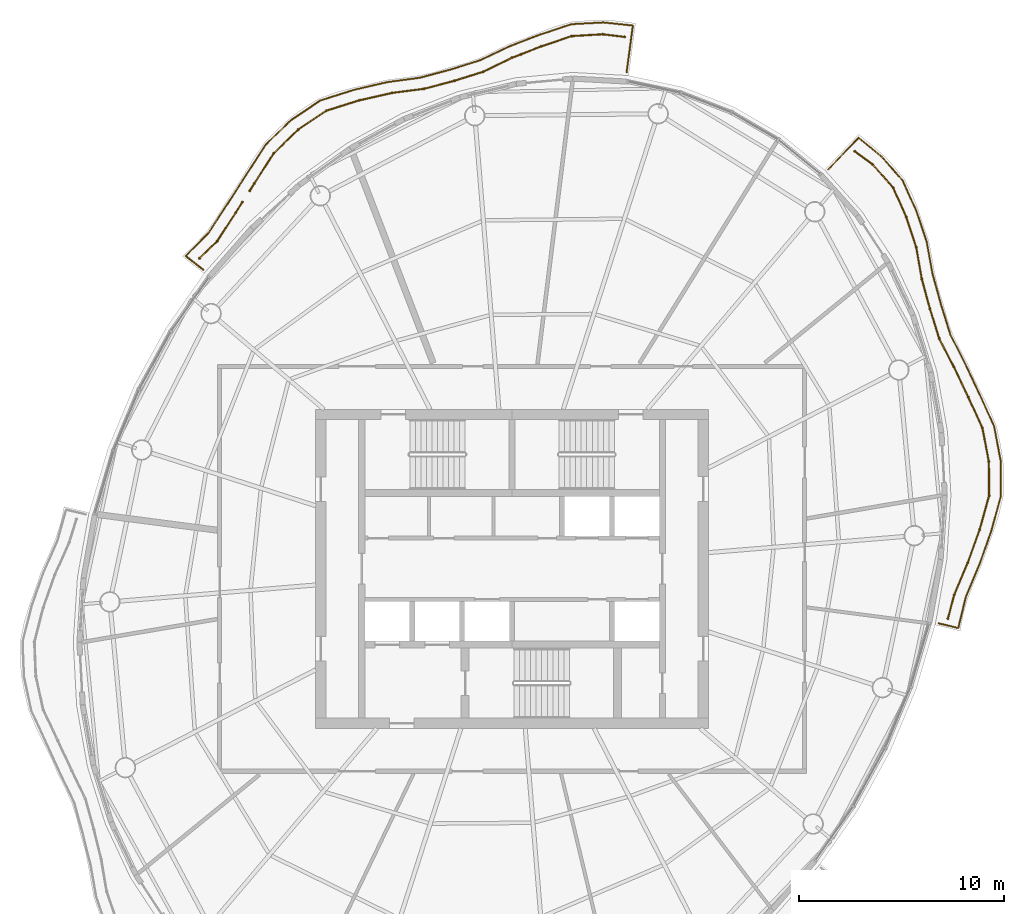
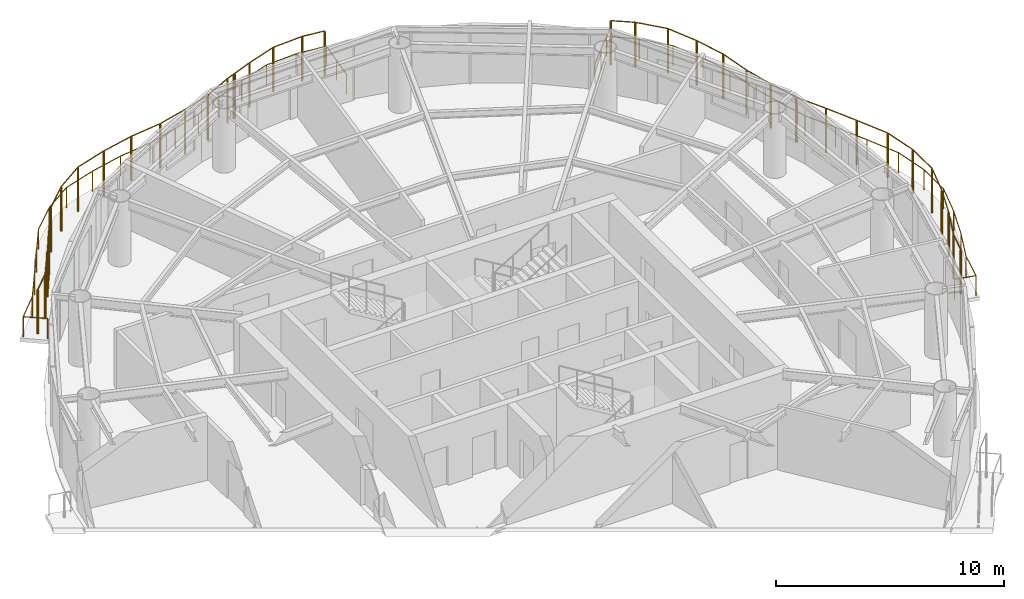
# One storey, part 13 of 13: 6 railings.
"""IFC4 building model written with IfcOpenShell, lengths in metres."""

from ifc_helpers import new_model, si_unit, direction, frame, origin, origin_2d, place, context, subcontext, project, spatial, circle, extrude, material, type_object, element, save


model = new_model("IFC4")

# Units and contexts
model_context = context("Model", 3, precision=1e-05, world=origin(), true_north=direction((0.0, 1.0)))
body_context = subcontext(model_context, "Body", "Model", "MODEL_VIEW")
ifc_project = project(units=[si_unit("LENGTHUNIT", "METRE"), si_unit("AREAUNIT", "SQUARE_METRE"), si_unit("VOLUMEUNIT", "CUBIC_METRE"), si_unit("PLANEANGLEUNIT", "RADIAN"), si_unit("MASSUNIT", "GRAM", prefix="KILO")], contexts=[model_context])

# Site, building, storey
site_placement = place(None, origin())
site = spatial("IfcSite", under=ifc_project, at=site_placement, CompositionType="ELEMENT")
building_placement = place(site_placement, origin())
building = spatial("IfcBuilding", under=site, at=building_placement, Name="Vermilion Reach Broadcast Tower", CompositionType="ELEMENT")
storey_placement = place(building_placement, frame((0.0, 0.0, 290.10009765625)))
storey = spatial("IfcBuildingStorey", under=building, at=storey_placement, Name="L72", CompositionType="ELEMENT", Elevation=290.10009765625)

# Railings
ifc_material_1 = material(Name="Terracotta baguette", Category="masonry")
railing_type_1 = type_object("IfcRailingType", Name="BAGUETTE SCREEN", PredefinedType="USERDEFINED", material=ifc_material_1)
railing_1_placement = place(storey_placement, frame((-0.50146484375, 26.004150390625, 0.0)))
element("IfcRailing", 1, at=railing_1_placement, inside=storey, type_object=railing_type_1, Name="Baguette screen L72 group 1 part 1", ObjectType="BAGUETTE SCREEN", PredefinedType="USERDEFINED", context=body_context, shape_type="SweptSolid", body=[
    extrude(circle(Radius=0.030029296875, at=origin_2d()), frame((0.0, 0.0, 2.369873046875), z_axis=(-0.992881140198, 0.119109367551, 0.0), x_axis=(-0.119109367551, -0.992881140198, 0.0)), (0.0, 0.0, 1.0), 1.073974609375),
    extrude(circle(Radius=0.030029296875, at=origin_2d()), frame((-1.06640625, 0.1279296875, 2.369873046875), z_axis=(-0.998369502245, -0.057081844628, 0.0), x_axis=(0.057081844628, -0.998369502245, 0.0)), (0.0, 0.0, 1.0), 1.518310546875),
    extrude(circle(Radius=0.030029296875, at=origin_2d()), frame((-2.582275390625, 0.041259765625, 2.369873046875), z_axis=(-0.947049164301, -0.321088586527, 0.0), x_axis=(0.321088586527, -0.947049164301, 0.0)), (0.0, 0.0, 1.0), 1.580810546875),
    extrude(circle(Radius=0.030029296875, at=origin_2d()), frame((-4.079345703125, -0.46630859375, 2.369873046875), z_axis=(-0.932146534088, -0.362081260199, 0.0), x_axis=(0.362081260199, -0.932146534088, 0.0)), (0.0, 0.0, 1.0), 1.032958984375),
    extrude(circle(Radius=0.050048828125, at=origin_2d()), origin(), (0.0, 0.0, 1.0), 2.33984375),
    extrude(circle(Radius=0.050048828125, at=origin_2d()), frame((-1.06640625, 0.1279296875, 0.0)), (0.0, 0.0, 1.0), 2.33984375),
    extrude(circle(Radius=0.050048828125, at=origin_2d()), frame((-2.582275390625, 0.041259765625, 0.0)), (0.0, 0.0, 1.0), 2.33984375),
    extrude(circle(Radius=0.050048828125, at=origin_2d()), frame((-4.079345703125, -0.46630859375, 0.0)), (0.0, 0.0, 1.0), 2.33984375),
    extrude(circle(Radius=0.050048828125, at=origin_2d()), frame((-5.042236328125, -0.84033203125, 0.0)), (0.0, 0.0, 1.0), 2.33984375),
])
railing_2_placement = place(storey_placement, frame((-5.59912109375, 25.142333984375, 0.0)))
element("IfcRailing", 2, at=railing_2_placement, inside=storey, type_object=railing_type_1, Name="Baguette screen L72 group 1 part 2", ObjectType="BAGUETTE SCREEN", PredefinedType="USERDEFINED", context=body_context, shape_type="SweptSolid", body=[
    extrude(circle(Radius=0.030029296875, at=origin_2d()), frame((0.0, 0.0, 2.369873046875), z_axis=(-0.932087548866, -0.362233075863, 0.0), x_axis=(0.362233075863, -0.932087548866, 0.0)), (0.0, 0.0, 1.0), 0.442138671875),
    extrude(circle(Radius=0.030029296875, at=origin_2d()), frame((-0.412109375, -0.16015625, 2.369873046875), z_axis=(-0.899295467476, -0.437341585236, 0.0), x_axis=(0.437341585236, -0.899295467476, 0.0)), (0.0, 0.0, 1.0), 1.54736328125),
    extrude(circle(Radius=0.030029296875, at=origin_2d()), frame((-1.8037109375, -0.8369140625, 2.369873046875), z_axis=(-0.953871097993, -0.300216469259, 0.0), x_axis=(0.300216469259, -0.953871097993, 0.0)), (0.0, 0.0, 1.0), 1.481689453125),
    extrude(circle(Radius=0.030029296875, at=origin_2d()), frame((-3.217041015625, -1.28173828125, 2.369873046875), z_axis=(-0.966330483692, -0.257304093025, 0.0), x_axis=(0.257304093025, -0.966330483692, 0.0)), (0.0, 0.0, 1.0), 1.525634765625),
    extrude(circle(Radius=0.030029296875, at=origin_2d()), frame((-4.69140625, -1.67431640625, 2.369873046875), z_axis=(-0.991817255622, -0.127665701934, 0.0), x_axis=(0.127665701934, -0.991817255622, 0.0)), (0.0, 0.0, 1.0), 1.596923828125),
    extrude(circle(Radius=0.030029296875, at=origin_2d()), frame((-6.275146484375, -1.878173828125, 2.369873046875), z_axis=(-0.975153189494, -0.221531616297, 0.0), x_axis=(0.221531616297, -0.975153189494, 0.0)), (0.0, 0.0, 1.0), 1.65087890625),
    extrude(circle(Radius=0.030029296875, at=origin_2d()), frame((-7.885009765625, -2.243896484375, 2.369873046875), z_axis=(-0.954194957585, -0.299185532603, 0.0), x_axis=(0.299185532603, -0.954194957585, 0.0)), (0.0, 0.0, 1.0), 1.663818359375),
    extrude(circle(Radius=0.030029296875, at=origin_2d()), frame((-9.47265625, -2.74169921875, 2.369873046875), z_axis=(-0.830855857765, -0.556487685055, 0.0), x_axis=(0.556487685055, -0.830855857765, 0.0)), (0.0, 0.0, 1.0), 1.66943359375),
    extrude(circle(Radius=0.030029296875, at=origin_2d()), frame((-10.859619140625, -3.670654296875, 2.369873046875), z_axis=(-0.718055314281, -0.695986038389, 0.0), x_axis=(0.695986038389, -0.718055314281, 0.0)), (0.0, 0.0, 1.0), 1.67041015625),
    extrude(circle(Radius=0.030029296875, at=origin_2d()), frame((-12.05908203125, -4.833251953125, 2.369873046875), z_axis=(-0.540070763967, -0.841619611171, 0.0), x_axis=(0.841619611171, -0.540070763967, 0.0)), (0.0, 0.0, 1.0), 1.7431640625),
    extrude(circle(Radius=0.030029296875, at=origin_2d()), frame((-13.00048828125, -6.30029296875, 2.369873046875), z_axis=(-0.537515930629, -0.843253594312, 0.0), x_axis=(0.843253594312, -0.537515930629, 0.0)), (0.0, 0.0, 1.0), 0.419189453125),
    extrude(circle(Radius=0.050048828125, at=origin_2d()), origin(), (0.0, 0.0, 1.0), 2.33984375),
    extrude(circle(Radius=0.050048828125, at=origin_2d()), frame((-0.412109375, -0.16015625, 0.0)), (0.0, 0.0, 1.0), 2.33984375),
    extrude(circle(Radius=0.050048828125, at=origin_2d()), frame((-1.8037109375, -0.8369140625, 0.0)), (0.0, 0.0, 1.0), 2.33984375),
    extrude(circle(Radius=0.050048828125, at=origin_2d()), frame((-3.217041015625, -1.28173828125, 0.0)), (0.0, 0.0, 1.0), 2.33984375),
    extrude(circle(Radius=0.050048828125, at=origin_2d()), frame((-4.69140625, -1.67431640625, 0.0)), (0.0, 0.0, 1.0), 2.33984375),
    extrude(circle(Radius=0.050048828125, at=origin_2d()), frame((-6.275146484375, -1.878173828125, 0.0)), (0.0, 0.0, 1.0), 2.33984375),
    extrude(circle(Radius=0.050048828125, at=origin_2d()), frame((-7.885009765625, -2.243896484375, 0.0)), (0.0, 0.0, 1.0), 2.33984375),
    extrude(circle(Radius=0.050048828125, at=origin_2d()), frame((-9.47265625, -2.74169921875, 0.0)), (0.0, 0.0, 1.0), 2.33984375),
    extrude(circle(Radius=0.050048828125, at=origin_2d()), frame((-10.859619140625, -3.670654296875, 0.0)), (0.0, 0.0, 1.0), 2.33984375),
    extrude(circle(Radius=0.050048828125, at=origin_2d()), frame((-12.05908203125, -4.833251953125, 0.0)), (0.0, 0.0, 1.0), 2.33984375),
    extrude(circle(Radius=0.050048828125, at=origin_2d()), frame((-13.00048828125, -6.30029296875, 0.0)), (0.0, 0.0, 1.0), 2.33984375),
    extrude(circle(Radius=0.050048828125, at=origin_2d()), frame((-13.225830078125, -6.65380859375, 0.0)), (0.0, 0.0, 1.0), 2.33984375),
])
railing_3_placement = place(storey_placement, frame((-19.184814453125, 17.92431640625, 0.0)))
element("IfcRailing", 3, at=railing_3_placement, inside=storey, type_object=railing_type_1, Name="Baguette screen L72 group 1 part 3", ObjectType="BAGUETTE SCREEN", PredefinedType="USERDEFINED", context=body_context, shape_type="SweptSolid", body=[
    extrude(circle(Radius=0.030029296875, at=origin_2d()), frame((0.0, 0.0, 2.369873046875), z_axis=(-0.537506746041, -0.843259448782, 0.0), x_axis=(0.843259448782, -0.537506746041, 0.0)), (0.0, 0.0, 1.0), 0.6005859375),
    extrude(circle(Radius=0.030029296875, at=origin_2d()), frame((-0.32275390625, -0.50634765625, 2.369873046875), z_axis=(-0.546824412886, -0.837247312013, 0.0), x_axis=(0.837247312013, -0.546824412886, 0.0)), (0.0, 0.0, 1.0), 1.672119140625),
    extrude(circle(Radius=0.030029296875, at=origin_2d()), frame((-1.237060546875, -1.90625, 2.369873046875), z_axis=(-0.716401622465, -0.697688121821, 0.0), x_axis=(0.697688121821, -0.716401622465, 0.0)), (0.0, 0.0, 1.0), 1.2001953125),
    extrude(circle(Radius=0.050048828125, at=origin_2d()), origin(), (0.0, 0.0, 1.0), 2.33984375),
    extrude(circle(Radius=0.050048828125, at=origin_2d()), frame((-0.32275390625, -0.50634765625, 0.0)), (0.0, 0.0, 1.0), 2.33984375),
    extrude(circle(Radius=0.050048828125, at=origin_2d()), frame((-1.237060546875, -1.90625, 0.0)), (0.0, 0.0, 1.0), 2.33984375),
    extrude(circle(Radius=0.050048828125, at=origin_2d()), frame((-2.096923828125, -2.74365234375, 0.0)), (0.0, 0.0, 1.0), 2.33984375),
])
railing_4_placement = place(storey_placement, frame((15.307861328125, -2.435546875, 0.0)))
element("IfcRailing", 4, at=railing_4_placement, inside=storey, type_object=railing_type_1, Name="Baguette screen L72 group 4", ObjectType="BAGUETTE SCREEN", PredefinedType="USERDEFINED", context=body_context, shape_type="SweptSolid", body=[
    extrude(circle(Radius=0.030029296875, at=origin_2d()), frame((0.0, 0.0, 2.369873046875), z_axis=(0.253477715698, 0.967341226065, 0.0), x_axis=(-0.967341226065, 0.253477715698, 0.0)), (0.0, 0.0, 1.0), 1.1953125),
    extrude(circle(Radius=0.030029296875, at=origin_2d()), frame((0.302978515625, 1.15625, 2.369873046875), z_axis=(0.3898354187, 0.920884545601, 0.0), x_axis=(-0.920884545601, 0.3898354187, 0.0)), (0.0, 0.0, 1.0), 1.711669921875),
    extrude(circle(Radius=0.030029296875, at=origin_2d()), frame((0.97021484375, 2.732421875, 2.369873046875), z_axis=(0.337728575294, 0.941243544164, 0.0), x_axis=(-0.941243544164, 0.337728575294, 0.0)), (0.0, 0.0, 1.0), 1.71044921875),
    extrude(circle(Radius=0.030029296875, at=origin_2d()), frame((1.5478515625, 4.34228515625, 2.369873046875), z_axis=(0.268887189026, 0.963171677105, 0.0), x_axis=(-0.963171677105, 0.268887189026, 0.0)), (0.0, 0.0, 1.0), 1.7314453125),
    extrude(circle(Radius=0.030029296875, at=origin_2d()), frame((2.013427734375, 6.010009765625, 2.369873046875), z_axis=(-0.007627766939, 0.999970908163, 0.0), x_axis=(-0.999970908163, -0.007627766939, 0.0)), (0.0, 0.0, 1.0), 1.664306640625),
    extrude(circle(Radius=0.030029296875, at=origin_2d()), frame((2.000732421875, 7.67431640625, 2.369873046875), z_axis=(-0.187748901568, 0.982217058475, 0.0), x_axis=(-0.982217058475, -0.187748901568, 0.0)), (0.0, 0.0, 1.0), 1.673583984375),
    extrude(circle(Radius=0.030029296875, at=origin_2d()), frame((1.6865234375, 9.318115234375, 2.369873046875), z_axis=(-0.416599537069, 0.909090108688, 0.0), x_axis=(-0.909090108688, -0.416599537069, 0.0)), (0.0, 0.0, 1.0), 1.676025390625),
    extrude(circle(Radius=0.030029296875, at=origin_2d()), frame((0.98828125, 10.841796875, 2.369873046875), z_axis=(-0.431222526533, 0.902245605481, 0.0), x_axis=(-0.902245605481, -0.431222526533, 0.0)), (0.0, 0.0, 1.0), 1.631591796875),
    extrude(circle(Radius=0.030029296875, at=origin_2d()), frame((0.28466796875, 12.31396484375, 2.369873046875), z_axis=(-0.458283325457, 0.888806162, 0.0), x_axis=(-0.888806162, -0.458283325457, 0.0)), (0.0, 0.0, 1.0), 1.556640625),
    extrude(circle(Radius=0.030029296875, at=origin_2d()), frame((-0.4287109375, 13.697509765625, 2.369873046875), z_axis=(-0.297066552636, 0.954856776331, 0.0), x_axis=(-0.954856776331, -0.297066552636, 0.0)), (0.0, 0.0, 1.0), 1.518798828125),
    extrude(circle(Radius=0.030029296875, at=origin_2d()), frame((-0.8798828125, 15.147705078125, 2.369873046875), z_axis=(-0.263736098391, 0.964594873719, 0.0), x_axis=(-0.964594873719, -0.263736098391, 0.0)), (0.0, 0.0, 1.0), 1.50244140625),
    extrude(circle(Radius=0.030029296875, at=origin_2d()), frame((-1.276123046875, 16.596923828125, 2.369873046875), z_axis=(-0.173056279121, 0.984911937311, 0.0), x_axis=(-0.984911937311, -0.173056279121, 0.0)), (0.0, 0.0, 1.0), 1.585693359375),
    extrude(circle(Radius=0.030029296875, at=origin_2d()), frame((-1.550537109375, 18.15869140625, 2.369873046875), z_axis=(-0.314192359271, 0.949359342597, 0.0), x_axis=(-0.949359342597, -0.314192359271, 0.0)), (0.0, 0.0, 1.0), 1.5478515625),
    extrude(circle(Radius=0.030029296875, at=origin_2d()), frame((-2.036865234375, 19.628173828125, 2.369873046875), z_axis=(-0.406051855231, 0.913850037404, 0.0), x_axis=(-0.913850037404, -0.406051855231, 0.0)), (0.0, 0.0, 1.0), 1.5693359375),
    extrude(circle(Radius=0.030029296875, at=origin_2d()), frame((-2.674072265625, 21.062255859375, 2.369873046875), z_axis=(-0.661105938406, 0.750292568405, 0.0), x_axis=(-0.750292568405, -0.661105938406, 0.0)), (0.0, 0.0, 1.0), 1.519287109375),
    extrude(circle(Radius=0.030029296875, at=origin_2d()), frame((-3.678466796875, 22.2021484375, 2.369873046875), z_axis=(-0.804743581635, 0.59362258028, 0.0), x_axis=(-0.59362258028, -0.804743581635, 0.0)), (0.0, 0.0, 1.0), 1.081298828125),
    extrude(circle(Radius=0.050048828125, at=origin_2d()), origin(), (0.0, 0.0, 1.0), 2.33984375),
    extrude(circle(Radius=0.050048828125, at=origin_2d()), frame((0.302978515625, 1.15625, 0.0)), (0.0, 0.0, 1.0), 2.33984375),
    extrude(circle(Radius=0.050048828125, at=origin_2d()), frame((0.97021484375, 2.732421875, 0.0)), (0.0, 0.0, 1.0), 2.33984375),
    extrude(circle(Radius=0.050048828125, at=origin_2d()), frame((1.5478515625, 4.34228515625, 0.0)), (0.0, 0.0, 1.0), 2.33984375),
    extrude(circle(Radius=0.050048828125, at=origin_2d()), frame((2.013427734375, 6.010009765625, 0.0)), (0.0, 0.0, 1.0), 2.33984375),
    extrude(circle(Radius=0.050048828125, at=origin_2d()), frame((2.000732421875, 7.67431640625, 0.0)), (0.0, 0.0, 1.0), 2.33984375),
    extrude(circle(Radius=0.050048828125, at=origin_2d()), frame((1.6865234375, 9.318115234375, 0.0)), (0.0, 0.0, 1.0), 2.33984375),
    extrude(circle(Radius=0.050048828125, at=origin_2d()), frame((0.98828125, 10.841796875, 0.0)), (0.0, 0.0, 1.0), 2.33984375),
    extrude(circle(Radius=0.050048828125, at=origin_2d()), frame((0.28466796875, 12.31396484375, 0.0)), (0.0, 0.0, 1.0), 2.33984375),
    extrude(circle(Radius=0.050048828125, at=origin_2d()), frame((-0.4287109375, 13.697509765625, 0.0)), (0.0, 0.0, 1.0), 2.33984375),
    extrude(circle(Radius=0.050048828125, at=origin_2d()), frame((-0.8798828125, 15.147705078125, 0.0)), (0.0, 0.0, 1.0), 2.33984375),
    extrude(circle(Radius=0.050048828125, at=origin_2d()), frame((-1.276123046875, 16.596923828125, 0.0)), (0.0, 0.0, 1.0), 2.33984375),
    extrude(circle(Radius=0.050048828125, at=origin_2d()), frame((-1.550537109375, 18.15869140625, 0.0)), (0.0, 0.0, 1.0), 2.33984375),
    extrude(circle(Radius=0.050048828125, at=origin_2d()), frame((-2.036865234375, 19.628173828125, 0.0)), (0.0, 0.0, 1.0), 2.33984375),
    extrude(circle(Radius=0.050048828125, at=origin_2d()), frame((-2.674072265625, 21.062255859375, 0.0)), (0.0, 0.0, 1.0), 2.33984375),
    extrude(circle(Radius=0.050048828125, at=origin_2d()), frame((-3.678466796875, 22.2021484375, 0.0)), (0.0, 0.0, 1.0), 2.33984375),
    extrude(circle(Radius=0.050048828125, at=origin_2d()), frame((-4.548583984375, 22.843994140625, 0.0)), (0.0, 0.0, 1.0), 2.33984375),
])
ifc_material_2 = material(Name="Stainless steel 316 balustrade", Category="steel")
railing_type_2 = type_object("IfcRailingType", Name="Balcony guard 1100", PredefinedType="BALUSTRADE", material=ifc_material_2)
railing_5_placement = place(storey_placement, frame((-0.4013671875, 24.269775390625, 0.0)))
element("IfcRailing", 5, at=railing_5_placement, inside=storey, type_object=railing_type_2, Name="Balcony guard L72 group 1", PredefinedType="BALUSTRADE", context=body_context, shape_type="SweptSolid", body=[
    extrude(circle(Radius=0.02490234375, at=origin_2d()), frame((0.0, 0.0, 1.0751953125), z_axis=(0.132454299679, 0.991189113387, 0.0), x_axis=(-0.991189113387, 0.132454299679, 0.0)), (0.0, 0.0, 1.0), 2.311279296875),
    extrude(circle(Radius=0.02490234375, at=origin_2d()), frame((0.30615234375, 2.291015625, 1.0751953125), z_axis=(-0.994593771312, 0.103842332734, 0.0), x_axis=(-0.103842332734, -0.994593771312, 0.0)), (0.0, 0.0, 1.0), 1.4482421875),
    extrude(circle(Radius=0.02490234375, at=origin_2d()), frame((-1.13427734375, 2.44140625, 1.0751953125), z_axis=(-0.998492894158, -0.054881147173, 0.0), x_axis=(0.054881147173, -0.998492894158, 0.0)), (0.0, 0.0, 1.0), 1.5615234375),
    extrude(circle(Radius=0.02490234375, at=origin_2d()), frame((-2.693359375, 2.355712890625, 1.0751953125), z_axis=(-0.949268468799, -0.314466809287, 0.0), x_axis=(0.314466809287, -0.949268468799, 0.0)), (0.0, 0.0, 1.0), 1.62255859375),
    extrude(circle(Radius=0.02490234375, at=origin_2d()), frame((-4.233642578125, 1.845458984375, 1.0751953125), z_axis=(-0.934436146902, -0.356130716681, 0.0), x_axis=(0.356130716681, -0.934436146902, 0.0)), (0.0, 0.0, 1.0), 1.57470703125),
    extrude(circle(Radius=0.02490234375, at=origin_2d()), frame((-5.705078125, 1.28466796875, 1.0751953125), z_axis=(-0.902074346781, -0.431580667871, 0.0), x_axis=(0.431580667871, -0.902074346781, 0.0)), (0.0, 0.0, 1.0), 1.58740234375),
    extrude(circle(Radius=0.02490234375, at=origin_2d()), frame((-7.136962890625, 0.599609375, 1.0751953125), z_axis=(-0.954136598481, -0.299371594241, 0.0), x_axis=(0.299371594241, -0.954136598481, 0.0)), (0.0, 0.0, 1.0), 1.52099609375),
    extrude(circle(Radius=0.02490234375, at=origin_2d()), frame((-8.588134765625, 0.144287109375, 1.0751953125), z_axis=(-0.965832359331, -0.259167616938, 0.0), x_axis=(0.259167616938, -0.965832359331, 0.0)), (0.0, 0.0, 1.0), 1.564697265625),
    extrude(circle(Radius=0.02490234375, at=origin_2d()), frame((-10.099365234375, -0.26123046875, 1.0751953125), z_axis=(-0.991003154651, -0.133838512662, 0.0), x_axis=(0.133838512662, -0.991003154651, 0.0)), (0.0, 0.0, 1.0), 1.632568359375),
    extrude(circle(Radius=0.02490234375, at=origin_2d()), frame((-11.71728515625, -0.479736328125, 1.0751953125), z_axis=(-0.973955289098, -0.226740148272, 0.0), x_axis=(0.226740148272, -0.973955289098, 0.0)), (0.0, 0.0, 1.0), 1.687255859375),
    extrude(circle(Radius=0.02490234375, at=origin_2d()), frame((-13.360595703125, -0.8623046875, 1.0751953125), z_axis=(-0.952797314477, -0.303607110467, 0.0), x_axis=(0.303607110467, -0.952797314477, 0.0)), (0.0, 0.0, 1.0), 1.6982421875),
    extrude(circle(Radius=0.02490234375, at=origin_2d()), frame((-14.978759765625, -1.3779296875, 1.0751953125), z_axis=(-0.830924911731, -0.556384571195, 0.0), x_axis=(0.556384571195, -0.830924911731, 0.0)), (0.0, 0.0, 1.0), 1.704833984375),
    extrude(circle(Radius=0.02490234375, at=origin_2d()), frame((-16.395263671875, -2.326416015625, 1.0751953125), z_axis=(-0.719601379469, -0.694387395239, 0.0), x_axis=(0.694387395239, -0.719601379469, 0.0)), (0.0, 0.0, 1.0), 1.7041015625),
    extrude(circle(Radius=0.02490234375, at=origin_2d()), frame((-17.62158203125, -3.509765625, 1.0751953125), z_axis=(-0.544761183457, -0.838591231172, 0.0), x_axis=(0.838591231172, -0.544761183457, 0.0)), (0.0, 0.0, 1.0), 1.775634765625),
    extrude(circle(Radius=0.02490234375, at=origin_2d()), frame((-18.5888671875, -4.998779296875, 1.0751953125), z_axis=(-0.541202166272, -0.840892511099, 0.0), x_axis=(0.840892511099, -0.541202166272, 0.0)), (0.0, 0.0, 1.0), 1.720458984375),
    extrude(circle(Radius=0.02490234375, at=origin_2d()), frame((-19.52001953125, -6.445556640625, 1.0751953125), z_axis=(-0.549532303411, -0.835472469629, 0.0), x_axis=(0.835472469629, -0.549532303411, 0.0)), (0.0, 0.0, 1.0), 1.7041015625),
    extrude(circle(Radius=0.02490234375, at=origin_2d()), frame((-20.45654296875, -7.869384765625, 1.0751953125), z_axis=(-0.703186775879, -0.711005174544, 0.0), x_axis=(0.711005174544, -0.703186775879, 0.0)), (0.0, 0.0, 1.0), 1.561279296875),
    extrude(circle(Radius=0.02490234375, at=origin_2d()), frame((-21.554443359375, -8.9794921875, 1.0751953125), z_axis=(0.787067731984, -0.61686658628, 0.0), x_axis=(0.61686658628, 0.787067731984, 0.0)), (0.0, 0.0, 1.0), 1.08447265625),
    extrude(circle(Radius=0.02490234375, at=origin_2d()), origin(), (0.0, 0.0, 1.0), 1.050048828125),
    extrude(circle(Radius=0.02490234375, at=origin_2d()), frame((0.153076171875, 1.1455078125, 0.0)), (0.0, 0.0, 1.0), 1.050048828125),
    extrude(circle(Radius=0.02490234375, at=origin_2d()), frame((0.30615234375, 2.291015625, 0.0)), (0.0, 0.0, 1.0), 1.050048828125),
    extrude(circle(Radius=0.02490234375, at=origin_2d()), frame((-1.13427734375, 2.44140625, 0.0)), (0.0, 0.0, 1.0), 1.050048828125),
    extrude(circle(Radius=0.02490234375, at=origin_2d()), frame((-2.693359375, 2.355712890625, 0.0)), (0.0, 0.0, 1.0), 1.050048828125),
    extrude(circle(Radius=0.02490234375, at=origin_2d()), frame((-4.233642578125, 1.845458984375, 0.0)), (0.0, 0.0, 1.0), 1.050048828125),
    extrude(circle(Radius=0.02490234375, at=origin_2d()), frame((-5.705078125, 1.28466796875, 0.0)), (0.0, 0.0, 1.0), 1.050048828125),
    extrude(circle(Radius=0.02490234375, at=origin_2d()), frame((-7.136962890625, 0.599609375, 0.0)), (0.0, 0.0, 1.0), 1.050048828125),
    extrude(circle(Radius=0.02490234375, at=origin_2d()), frame((-8.588134765625, 0.144287109375, 0.0)), (0.0, 0.0, 1.0), 1.050048828125),
    extrude(circle(Radius=0.02490234375, at=origin_2d()), frame((-10.099365234375, -0.26123046875, 0.0)), (0.0, 0.0, 1.0), 1.050048828125),
    extrude(circle(Radius=0.02490234375, at=origin_2d()), frame((-11.71728515625, -0.479736328125, 0.0)), (0.0, 0.0, 1.0), 1.050048828125),
    extrude(circle(Radius=0.02490234375, at=origin_2d()), frame((-13.360595703125, -0.8623046875, 0.0)), (0.0, 0.0, 1.0), 1.050048828125),
    extrude(circle(Radius=0.02490234375, at=origin_2d()), frame((-14.978759765625, -1.3779296875, 0.0)), (0.0, 0.0, 1.0), 1.050048828125),
    extrude(circle(Radius=0.02490234375, at=origin_2d()), frame((-16.395263671875, -2.326416015625, 0.0)), (0.0, 0.0, 1.0), 1.050048828125),
    extrude(circle(Radius=0.02490234375, at=origin_2d()), frame((-17.62158203125, -3.509765625, 0.0)), (0.0, 0.0, 1.0), 1.050048828125),
    extrude(circle(Radius=0.02490234375, at=origin_2d()), frame((-18.5888671875, -4.998779296875, 0.0)), (0.0, 0.0, 1.0), 1.050048828125),
    extrude(circle(Radius=0.02490234375, at=origin_2d()), frame((-19.52001953125, -6.445556640625, 0.0)), (0.0, 0.0, 1.0), 1.050048828125),
    extrude(circle(Radius=0.02490234375, at=origin_2d()), frame((-20.45654296875, -7.869384765625, 0.0)), (0.0, 0.0, 1.0), 1.050048828125),
    extrude(circle(Radius=0.02490234375, at=origin_2d()), frame((-21.554443359375, -8.9794921875, 0.0)), (0.0, 0.0, 1.0), 1.050048828125),
    extrude(circle(Radius=0.02490234375, at=origin_2d()), frame((-20.700927734375, -9.6484375, 0.0)), (0.0, 0.0, 1.0), 1.050048828125),
])
railing_6_placement = place(storey_placement, frame((14.850830078125, -2.666015625, 0.0)))
element("IfcRailing", 6, at=railing_6_placement, inside=storey, type_object=railing_type_2, Name="Balcony guard L72 group 4", PredefinedType="BALUSTRADE", context=body_context, shape_type="SweptSolid", body=[
    extrude(circle(Radius=0.02490234375, at=origin_2d()), frame((0.0, 0.0, 1.0751953125), z_axis=(0.973222745237, -0.229864064511, 0.0), x_axis=(0.229864064511, 0.973222745237, 0.0)), (0.0, 0.0, 1.0), 0.989990234375),
    extrude(circle(Radius=0.02490234375, at=origin_2d()), frame((0.96337890625, -0.2275390625, 1.0751953125), z_axis=(0.23610737677, 0.97172697124, 0.0), x_axis=(-0.97172697124, 0.23610737677, 0.0)), (0.0, 0.0, 1.0), 1.55615234375),
    extrude(circle(Radius=0.02490234375, at=origin_2d()), frame((1.330810546875, 1.28466796875, 1.0751953125), z_axis=(0.385569869521, 0.922678641629, 0.0), x_axis=(-0.922678641629, 0.385569869521, 0.0)), (0.0, 0.0, 1.0), 1.7431640625),
    extrude(circle(Radius=0.02490234375, at=origin_2d()), frame((2.0029296875, 2.89306640625, 1.0751953125), z_axis=(0.333413851179, 0.942780570357, 0.0), x_axis=(-0.942780570357, 0.333413851179, 0.0)), (0.0, 0.0, 1.0), 1.741943359375),
    extrude(circle(Radius=0.02490234375, at=origin_2d()), frame((2.583740234375, 4.535400390625, 1.0751953125), z_axis=(0.264381460247, 0.964418189106, 0.0), x_axis=(-0.964418189106, 0.264381460247, 0.0)), (0.0, 0.0, 1.0), 1.7646484375),
    extrude(circle(Radius=0.02490234375, at=origin_2d()), frame((3.05029296875, 6.2373046875, 1.0751953125), z_axis=(-0.007763964405, 0.999969859974, 0.0), x_axis=(-0.999969859974, -0.007763964405, 0.0)), (0.0, 0.0, 1.0), 1.697998046875),
    extrude(circle(Radius=0.02490234375, at=origin_2d()), frame((3.037109375, 7.935302734375, 1.0751953125), z_axis=(-0.185720190952, 0.982602671822, 0.0), x_axis=(-0.982602671822, -0.185720190952, 0.0)), (0.0, 0.0, 1.0), 1.708984375),
    extrude(circle(Radius=0.02490234375, at=origin_2d()), frame((2.7197265625, 9.614501953125, 1.0751953125), z_axis=(-0.411338052036, 0.911482861576, 0.0), x_axis=(-0.911482861576, -0.411338052036, 0.0)), (0.0, 0.0, 1.0), 1.7099609375),
    extrude(circle(Radius=0.02490234375, at=origin_2d()), frame((2.016357421875, 11.173095703125, 1.0751953125), z_axis=(-0.426304585373, 0.90457968167, 0.0), x_axis=(-0.90457968167, -0.426304585373, 0.0)), (0.0, 0.0, 1.0), 1.667724609375),
    extrude(circle(Radius=0.02490234375, at=origin_2d()), frame((1.305419921875, 12.681640625, 1.0751953125), z_axis=(-0.45412545019, 0.890937750626, 0.0), x_axis=(-0.890937750626, -0.45412545019, 0.0)), (0.0, 0.0, 1.0), 1.593505859375),
    extrude(circle(Radius=0.02490234375, at=origin_2d()), frame((0.581787109375, 14.101318359375, 1.0751953125), z_axis=(-0.297926951911, 0.954588671274, 0.0), x_axis=(-0.954588671274, -0.297926951911, 0.0)), (0.0, 0.0, 1.0), 1.557861328125),
    extrude(circle(Radius=0.02490234375, at=origin_2d()), frame((0.11767578125, 15.58837890625, 1.0751953125), z_axis=(-0.267055615676, 0.963681118491, 0.0), x_axis=(-0.963681118491, -0.267055615676, 0.0)), (0.0, 0.0, 1.0), 1.541259765625),
    extrude(circle(Radius=0.02490234375, at=origin_2d()), frame((-0.2939453125, 17.07373046875, 1.0751953125), z_axis=(-0.180432034966, 0.983587454555, 0.0), x_axis=(-0.983587454555, -0.180432034966, 0.0)), (0.0, 0.0, 1.0), 1.625),
    extrude(circle(Radius=0.02490234375, at=origin_2d()), frame((-0.587158203125, 18.672119140625, 1.0751953125), z_axis=(-0.319730344544, 0.947508578736, 0.0), x_axis=(-0.947508578736, -0.319730344544, 0.0)), (0.0, 0.0, 1.0), 1.588134765625),
    extrude(circle(Radius=0.02490234375, at=origin_2d()), frame((-1.094970703125, 20.177001953125, 1.0751953125), z_axis=(-0.410981865666, 0.911643519197, 0.0), x_axis=(-0.911643519197, -0.410981865666, 0.0)), (0.0, 0.0, 1.0), 1.611572265625),
    extrude(circle(Radius=0.02490234375, at=origin_2d()), frame((-1.75732421875, 21.646240234375, 1.0751953125), z_axis=(-0.660416496377, 0.750899494815, 0.0), x_axis=(-0.750899494815, -0.660416496377, 0.0)), (0.0, 0.0, 1.0), 1.562255859375),
    extrude(circle(Radius=0.02490234375, at=origin_2d()), frame((-2.7890625, 22.8193359375, 1.0751953125), z_axis=(-0.77312416362, 0.634254702487, 0.0), x_axis=(-0.634254702487, -0.77312416362, 0.0)), (0.0, 0.0, 1.0), 1.450439453125),
    extrude(circle(Radius=0.02490234375, at=origin_2d()), frame((-3.910400390625, 23.7392578125, 1.0751953125), z_axis=(-0.691593031705, -0.722287393284, 0.0), x_axis=(0.722287393284, -0.691593031705, 0.0)), (0.0, 0.0, 1.0), 2.1396484375),
    extrude(circle(Radius=0.02490234375, at=origin_2d()), origin(), (0.0, 0.0, 1.0), 1.050048828125),
    extrude(circle(Radius=0.02490234375, at=origin_2d()), frame((0.96337890625, -0.2275390625, 0.0)), (0.0, 0.0, 1.0), 1.050048828125),
    extrude(circle(Radius=0.02490234375, at=origin_2d()), frame((1.330810546875, 1.28466796875, 0.0)), (0.0, 0.0, 1.0), 1.050048828125),
    extrude(circle(Radius=0.02490234375, at=origin_2d()), frame((2.0029296875, 2.89306640625, 0.0)), (0.0, 0.0, 1.0), 1.050048828125),
    extrude(circle(Radius=0.02490234375, at=origin_2d()), frame((2.583740234375, 4.535400390625, 0.0)), (0.0, 0.0, 1.0), 1.050048828125),
    extrude(circle(Radius=0.02490234375, at=origin_2d()), frame((3.05029296875, 6.2373046875, 0.0)), (0.0, 0.0, 1.0), 1.050048828125),
    extrude(circle(Radius=0.02490234375, at=origin_2d()), frame((3.037109375, 7.935302734375, 0.0)), (0.0, 0.0, 1.0), 1.050048828125),
    extrude(circle(Radius=0.02490234375, at=origin_2d()), frame((2.7197265625, 9.614501953125, 0.0)), (0.0, 0.0, 1.0), 1.050048828125),
    extrude(circle(Radius=0.02490234375, at=origin_2d()), frame((2.016357421875, 11.173095703125, 0.0)), (0.0, 0.0, 1.0), 1.050048828125),
    extrude(circle(Radius=0.02490234375, at=origin_2d()), frame((1.305419921875, 12.681640625, 0.0)), (0.0, 0.0, 1.0), 1.050048828125),
    extrude(circle(Radius=0.02490234375, at=origin_2d()), frame((0.581787109375, 14.101318359375, 0.0)), (0.0, 0.0, 1.0), 1.050048828125),
    extrude(circle(Radius=0.02490234375, at=origin_2d()), frame((0.11767578125, 15.58837890625, 0.0)), (0.0, 0.0, 1.0), 1.050048828125),
    extrude(circle(Radius=0.02490234375, at=origin_2d()), frame((-0.2939453125, 17.07373046875, 0.0)), (0.0, 0.0, 1.0), 1.050048828125),
    extrude(circle(Radius=0.02490234375, at=origin_2d()), frame((-0.587158203125, 18.672119140625, 0.0)), (0.0, 0.0, 1.0), 1.050048828125),
    extrude(circle(Radius=0.02490234375, at=origin_2d()), frame((-1.094970703125, 20.177001953125, 0.0)), (0.0, 0.0, 1.0), 1.050048828125),
    extrude(circle(Radius=0.02490234375, at=origin_2d()), frame((-1.75732421875, 21.646240234375, 0.0)), (0.0, 0.0, 1.0), 1.050048828125),
    extrude(circle(Radius=0.02490234375, at=origin_2d()), frame((-2.7890625, 22.8193359375, 0.0)), (0.0, 0.0, 1.0), 1.050048828125),
    extrude(circle(Radius=0.02490234375, at=origin_2d()), frame((-3.910400390625, 23.7392578125, 0.0)), (0.0, 0.0, 1.0), 1.050048828125),
    extrude(circle(Radius=0.02490234375, at=origin_2d()), frame((-4.650390625, 22.966552734375, 0.0)), (0.0, 0.0, 1.0), 1.050048828125),
    extrude(circle(Radius=0.02490234375, at=origin_2d()), frame((-5.39013671875, 22.19384765625, 0.0)), (0.0, 0.0, 1.0), 1.050048828125),
])

save(model, "model.ifc")
